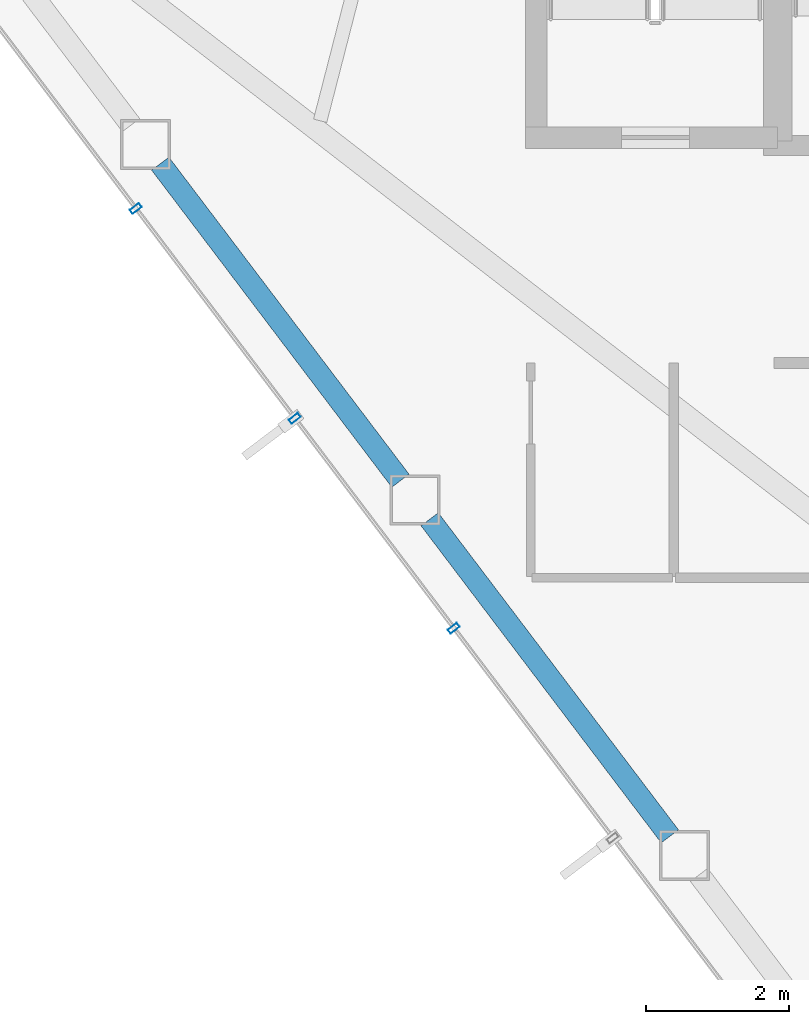
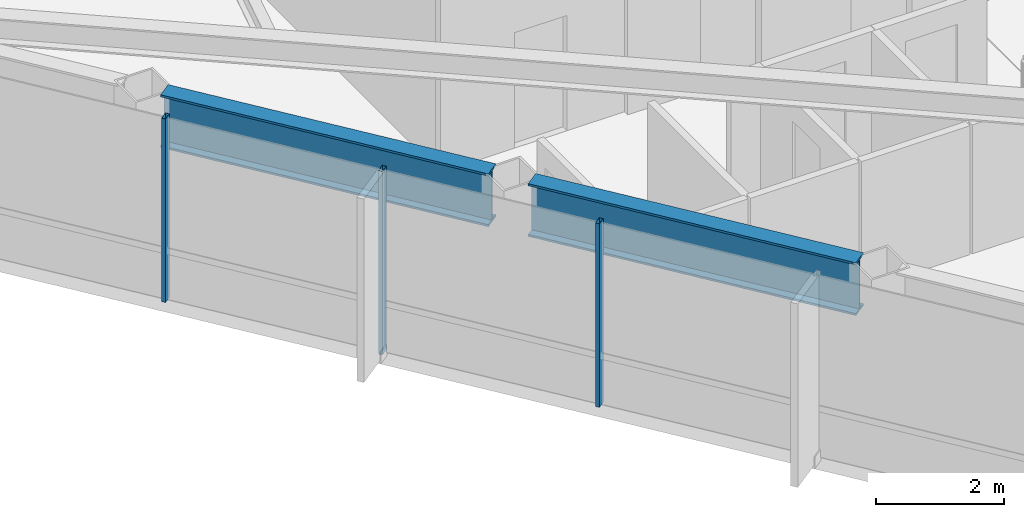
# One storey, part 4 of 28: 3 members, 2 beams, 1 element without a shape of its own.
"""IFC4 building model written with IfcOpenShell, lengths in metres."""

from ifc_helpers import new_model, si_unit, direction, frame, origin, origin_2d, place, context, subcontext, project, spatial, hollow_rectangle, i_section, extrude, material, layer, layer_set, material_profile, profile_set, type_object, element, aggregate, save


model = new_model("IFC4")

# Units and contexts
model_context = context("Model", 3, precision=1e-05, world=origin(), true_north=direction((0.0, 1.0)))
body_context = subcontext(model_context, "Body", "Model", "MODEL_VIEW")
ifc_project = project(units=[si_unit("LENGTHUNIT", "METRE"), si_unit("AREAUNIT", "SQUARE_METRE"), si_unit("VOLUMEUNIT", "CUBIC_METRE"), si_unit("PLANEANGLEUNIT", "RADIAN"), si_unit("MASSUNIT", "GRAM", prefix="KILO")], contexts=[model_context])

# Site, building, storey
site_placement = place(None, origin())
site = spatial("IfcSite", under=ifc_project, at=site_placement, CompositionType="ELEMENT")
building_placement = place(site_placement, origin())
building = spatial("IfcBuilding", under=site, at=building_placement, Name="Zarrinselat Tower", CompositionType="ELEMENT")
storey_placement = place(building_placement, frame((0.0, 0.0, 164.56005859375)))
storey = spatial("IfcBuildingStorey", under=building, at=storey_placement, Name="L40", CompositionType="ELEMENT", Elevation=164.56005859375)

# Beams
ifc_material_1 = material(Name="Steel S460M", Category="steel")
ifc_material_profile_1 = material_profile(ifc_material_1, i_section(OverallWidth=0.302001953125, OverallDepth=1.008056640625, WebThickness=0.02099609375, FlangeThickness=0.0400390625, at=origin_2d()), Name="HEM 1000")
ifc_profile_set_1 = profile_set([ifc_material_profile_1], Name="Steel S460M")
beam_type = type_object("IfcBeamType", Name="BM-HEM1000", PredefinedType="BEAM", material=ifc_profile_set_1)
beam_1_placement = place(storey_placement, frame((19.976318359375, 32.934814453125, 2.995849609375), z_axis=(0.603832304044, -0.797111377784, 0.0), x_axis=(0.797111377784, 0.603832304044, 0.0)))
element("IfcBeam", 1, at=beam_1_placement, inside=storey, type_object=beam_type, Name="L40 Perimeter Spandrel Girder SP07", PredefinedType="BEAM", context=body_context, shape_type="SweptSolid", body=[
    extrude(i_section(OverallWidth=0.302001953125, OverallDepth=1.008056640625, WebThickness=0.02099609375, FlangeThickness=0.0400390625, at=origin_2d()), origin(), (0.0, 0.0, 1.0), 5.555419921875),
])
beam_2_placement = place(storey_placement, frame((23.739013671875, 27.9677734375, 2.995849609375), z_axis=(0.603881379332, -0.797074199618, 0.0), x_axis=(0.797074199618, 0.603881379332, 0.0)))
element("IfcBeam", 2, at=beam_2_placement, inside=storey, type_object=beam_type, Name="L40 Perimeter Spandrel Girder SP08", PredefinedType="BEAM", context=body_context, shape_type="SweptSolid", body=[
    extrude(i_section(OverallWidth=0.302001953125, OverallDepth=1.008056640625, WebThickness=0.02099609375, FlangeThickness=0.0400390625, at=origin_2d()), origin(), (0.0, 0.0, 1.0), 5.55517578125),
])

# Curtain wall, members
ifc_material_2 = material(Name="Extruded Aluminium Alloy EN AW-6063 T6", Category="aluminium")
ifc_layer = layer(ifc_material_2, 0.175048828125)
ifc_layer_set = layer_set([ifc_layer], Name="Extruded Aluminium Alloy EN AW-6063 T6")
curtain_wall_type = type_object("IfcCurtainWallType", Name="CWS-HTL", PredefinedType="NOTDEFINED", material=ifc_layer_set)
curtain_wall_placement = place(storey_placement, origin())
curtain_wall = element("IfcCurtainWall", 3, at=curtain_wall_placement, inside=storey, type_object=curtain_wall_type, Name="L40 Unitised Curtain Wall CW-L40-E03", PredefinedType="NOTDEFINED")
ifc_material_3 = material(Name="Extruded Aluminium Alloy EN AW-6063 T6", Category="aluminium")
ifc_material_profile_2 = material_profile(ifc_material_3, hollow_rectangle(XDim=0.070068359375, YDim=0.159912109375, WallThickness=0.00390625, at=origin_2d()), Name="RHS 160x70x4")
ifc_profile_set_2 = profile_set([ifc_material_profile_2], Name="Extruded Aluminium Alloy EN AW-6063 T6")
member_type = type_object("IfcMemberType", Name="MEM-CW-MUL2", PredefinedType="MULLION", material=ifc_profile_set_2)
member_1_placement = place(storey_placement, frame((19.635009765625, 32.308837890625, 0.0), z_axis=(0.0, 0.0, 1.0), x_axis=(0.603857987184, -0.797091921496, 0.0)))
member_1 = element("IfcMember", 4, at=member_1_placement, type_object=member_type, Name="CW-L40-E03 Mullion 2", PredefinedType="MULLION", context=body_context, shape_type="SweptSolid", body=[
    extrude(hollow_rectangle(XDim=0.070068359375, YDim=0.159912109375, WallThickness=0.00390625, at=origin_2d()), origin(), (0.0, 0.0, 1.0), 3.5),
])
member_2_placement = place(storey_placement, frame((21.85546875, 29.377685546875, 0.0), z_axis=(0.0, 0.0, 1.0), x_axis=(0.603857987184, -0.797091921496, 0.0)))
member_2 = element("IfcMember", 5, at=member_2_placement, type_object=member_type, Name="CW-L40-E03 Mullion 3", PredefinedType="MULLION", context=body_context, shape_type="SweptSolid", body=[
    extrude(hollow_rectangle(XDim=0.070068359375, YDim=0.159912109375, WallThickness=0.00390625, at=origin_2d()), origin(), (0.0, 0.0, 1.0), 3.5),
])
member_3_placement = place(storey_placement, frame((24.075927734375, 26.446533203125, 0.0), z_axis=(0.0, 0.0, 1.0), x_axis=(0.603857987184, -0.797091921496, 0.0)))
member_3 = element("IfcMember", 6, at=member_3_placement, type_object=member_type, Name="CW-L40-E03 Mullion 4", PredefinedType="MULLION", context=body_context, shape_type="SweptSolid", body=[
    extrude(hollow_rectangle(XDim=0.070068359375, YDim=0.159912109375, WallThickness=0.00390625, at=origin_2d()), origin(), (0.0, 0.0, 1.0), 3.5),
])
aggregate(curtain_wall, [member_1, member_2, member_3])

save(model, "model.ifc")
